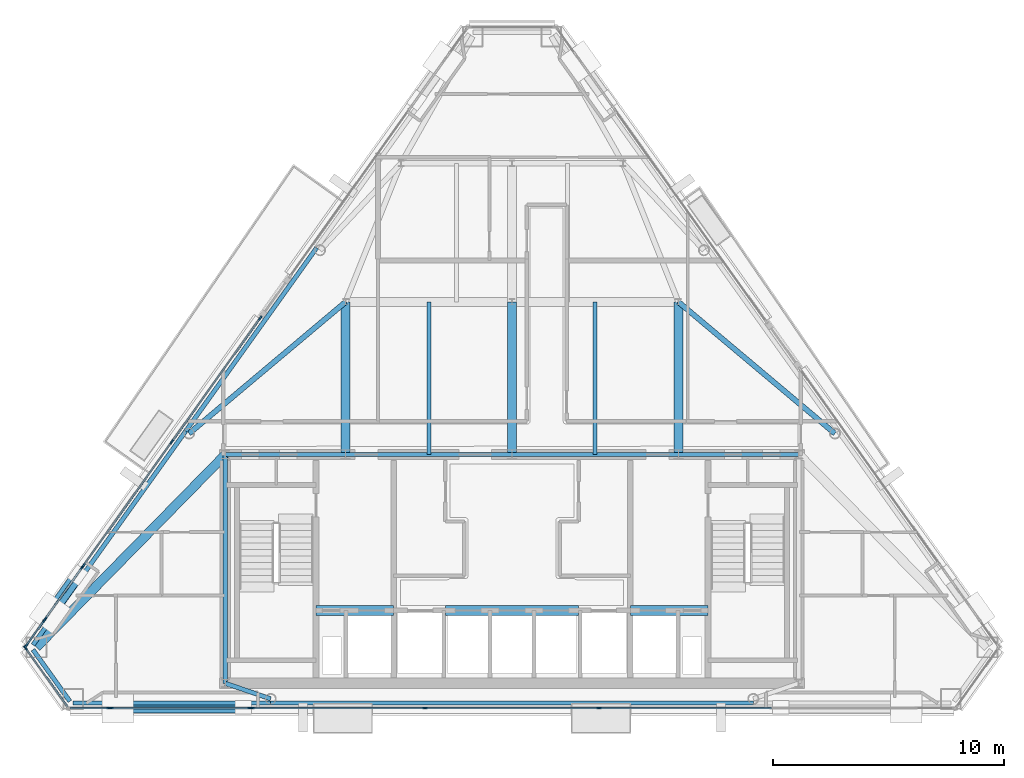
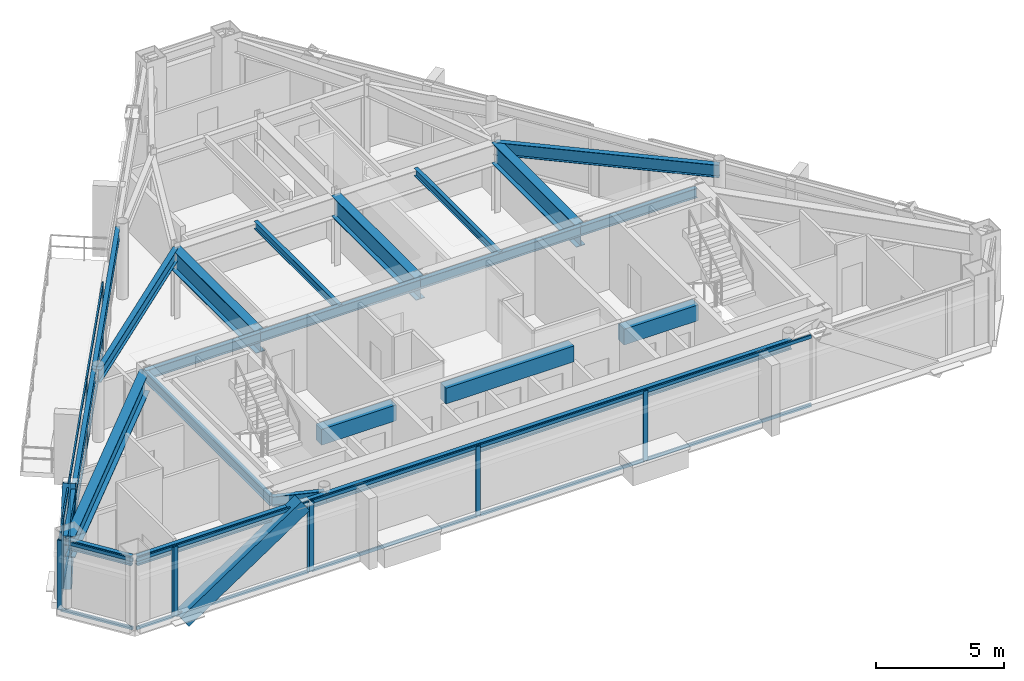
# One storey, part 4 of 12: 36 members, 22 beams, 7 elements without a shape of their own.
"""IFC4 building model written with IfcOpenShell, lengths in metres."""

from ifc_helpers import new_model, si_unit, direction, frame, origin, origin_2d, place, context, subcontext, project, spatial, rectangle, hollow_rectangle, i_section, extrude, material, layer, layer_set, material_profile, profile_set, type_object, element, aggregate, save


model = new_model("IFC4")

# Units and contexts
model_context = context("Model", 3, precision=1e-05, world=origin(), true_north=direction((0.0, 1.0)))
body_context = subcontext(model_context, "Body", "Model", "MODEL_VIEW")
ifc_project = project(units=[si_unit("LENGTHUNIT", "METRE"), si_unit("AREAUNIT", "SQUARE_METRE"), si_unit("VOLUMEUNIT", "CUBIC_METRE"), si_unit("PLANEANGLEUNIT", "RADIAN"), si_unit("MASSUNIT", "GRAM", prefix="KILO")], contexts=[model_context])

# Site, building, storey
site_placement = place(None, origin())
site = spatial("IfcSite", under=ifc_project, at=site_placement, CompositionType="ELEMENT")
building_placement = place(site_placement, origin())
building = spatial("IfcBuilding", under=site, at=building_placement, Name="Talgorran Terracotta Tower", CompositionType="ELEMENT")
storey_placement = place(building_placement, frame((0.0, 0.0, 281.39990234375)))
storey = spatial("IfcBuildingStorey", under=building, at=storey_placement, Name="L74", CompositionType="ELEMENT", Elevation=281.39990234375)

# Beams
ifc_material_1 = material(Name="Steel Grade 350 (350L0)", Category="steel")
ifc_material_profile_1 = material_profile(ifc_material_1, i_section(OverallWidth=0.39990234375, OverallDepth=1.0, WebThickness=0.01611328125, FlangeThickness=0.031005859375, at=origin_2d()), Name="1000WB296")
ifc_profile_set_1 = profile_set([ifc_material_profile_1], Name="Steel Grade 350 (350L0)")
beam_type_1 = type_object("IfcBeamType", Name="BM_1000WB296", PredefinedType="BEAM", material=ifc_profile_set_1)
for number, where, z_axis, x_axis, name in (
    (1, (-7.199951171875, -4.199951171875, 2.820068359375), (0.0, 1.0, 0.0), (-1.0, 0.0, 0.0), "L74 Floor Girder G01"),
    (2, (0.0, -4.199951171875, 2.820068359375), (0.0, 1.0, 0.0), (-1.0, 0.0, 0.0), "L74 Floor Girder G02"),
    (3, (7.199951171875, -4.199951171875, 2.820068359375), (0.0, 1.0, 0.0), (-1.0, 0.0, 0.0), "L74 Floor Girder G03"),
):
    element("IfcBeam", number, at=place(storey_placement, frame(where, z_axis=z_axis, x_axis=x_axis)), inside=storey, type_object=beam_type_1, Name=name, PredefinedType="BEAM", context=body_context, shape_type="SweptSolid", body=[
        extrude(i_section(OverallWidth=0.39990234375, OverallDepth=1.0, WebThickness=0.01611328125, FlangeThickness=0.031005859375, at=origin_2d()), origin(), (0.0, 0.0, 1.0), 6.599853515625),
    ])
beam_1_placement = place(storey_placement, frame((-12.39990234375, -4.199951171875, 2.820068359375), z_axis=(-0.700061173466, -0.714082875726, 0.0), x_axis=(0.714082875726, -0.700061173466, 0.0)))
element("IfcBeam", 4, at=beam_1_placement, inside=storey, type_object=beam_type_1, Name="L74 Floor Girder G17", PredefinedType="BEAM", context=body_context, shape_type="SweptSolid", body=[
    extrude(i_section(OverallWidth=0.39990234375, OverallDepth=1.0, WebThickness=0.01611328125, FlangeThickness=0.031005859375, at=origin_2d()), origin(), (0.0, 0.0, 1.0), 11.68310546875),
])
ifc_material_2 = material(Name="Steel S355 (300PLUS)", Category="steel")
ifc_material_profile_2 = material_profile(ifc_material_2, i_section(OverallWidth=0.22802734375, OverallDepth=0.60205078125, WebThickness=0.010498046875, FlangeThickness=0.014892578125, at=origin_2d()), Name="610UB101")
ifc_profile_set_2 = profile_set([ifc_material_profile_2], Name="Steel S355 (300PLUS)")
beam_type_2 = type_object("IfcBeamType", Name="BM_610UB101", PredefinedType="BEAM", material=ifc_profile_set_2)
for number, where, z_axis, x_axis, name in (
    (5, (-7.199951171875, 2.39990234375, 3.01904296875), (-0.765472083777, -0.643469104897, 0.0), (0.643469104897, -0.765472083777, 0.0), "L74 Floor Girder G06"),
    (6, (7.199951171875, 2.39990234375, 3.01904296875), (0.765472083777, -0.643469104897, 0.0), (0.643469104897, 0.765472083777, 0.0), "L74 Floor Girder G07"),
):
    element("IfcBeam", number, at=place(storey_placement, frame(where, z_axis=z_axis, x_axis=x_axis)), inside=storey, type_object=beam_type_2, Name=name, PredefinedType="BEAM", context=body_context, shape_type="SweptSolid", body=[
        extrude(i_section(OverallWidth=0.22802734375, OverallDepth=0.60205078125, WebThickness=0.010498046875, FlangeThickness=0.014892578125, at=origin_2d()), origin(), (0.0, 0.0, 1.0), 8.844970703125),
    ])
ifc_material_3 = material(Name="Concrete C50/60", Category="concrete")
ifc_material_profile_3 = material_profile(ifc_material_3, rectangle(XDim=0.449951171875, YDim=0.75, at=origin_2d()), Name="RCCB450X750")
ifc_profile_set_3 = profile_set([ifc_material_profile_3], Name="Concrete C50/60")
beam_type_3 = type_object("IfcBeamType", Name="BM_CB_450X750", PredefinedType="LINTEL", material=ifc_profile_set_3)
beam_2_placement = place(storey_placement, frame((-8.47998046875, -10.949951171875, 2.945068359375), z_axis=(1.0, 0.0, 0.0), x_axis=(0.0, 1.0, 0.0)))
element("IfcBeam", 7, at=beam_2_placement, inside=storey, type_object=beam_type_3, Name="L74 Core Shear-Wall Coupling Beam CB1", PredefinedType="LINTEL", context=body_context, shape_type="SweptSolid", body=[
    extrude(rectangle(XDim=0.449951171875, YDim=0.75, at=origin_2d()), origin(), (0.0, 0.0, 1.0), 3.35986328125),
])
beam_3_placement = place(storey_placement, frame((-2.8798828125, -10.949951171875, 2.945068359375), z_axis=(1.0, 0.0, 0.0), x_axis=(0.0, 1.0, 0.0)))
element("IfcBeam", 8, at=beam_3_placement, inside=storey, type_object=beam_type_3, Name="L74 Core Shear-Wall Coupling Beam CB2", PredefinedType="LINTEL", context=body_context, shape_type="SweptSolid", body=[
    extrude(rectangle(XDim=0.449951171875, YDim=0.75, at=origin_2d()), origin(), (0.0, 0.0, 1.0), 5.759765625),
])
beam_4_placement = place(storey_placement, frame((5.1201171875, -10.949951171875, 2.945068359375), z_axis=(1.0, 0.0, 0.0), x_axis=(0.0, 1.0, 0.0)))
element("IfcBeam", 9, at=beam_4_placement, inside=storey, type_object=beam_type_3, Name="L74 Core Shear-Wall Coupling Beam CB3", PredefinedType="LINTEL", context=body_context, shape_type="SweptSolid", body=[
    extrude(rectangle(XDim=0.449951171875, YDim=0.75, at=origin_2d()), origin(), (0.0, 0.0, 1.0), 3.35986328125),
])
ifc_material_profile_4 = material_profile(ifc_material_2, i_section(OverallWidth=0.17138671875, OverallDepth=0.355712890625, WebThickness=0.00732421875, FlangeThickness=0.011474609375, at=origin_2d()), Name="360UB50.7")
ifc_profile_set_4 = profile_set([ifc_material_profile_4], Name="Steel S355 (300PLUS)")
beam_type_4 = type_object("IfcBeamType", Name="BM_JS_360UB51", PredefinedType="JOIST", material=ifc_profile_set_4)
for number, where, z_axis, x_axis, name in (
    (10, (-3.60009765625, -4.199951171875, 3.142333984375), (0.0, 1.0, 0.0), (-1.0, 0.0, 0.0), "L74 Secondary Joist J01"),
    (11, (3.60009765625, -4.199951171875, 3.142333984375), (0.0, 1.0, 0.0), (-1.0, 0.0, 0.0), "L74 Secondary Joist J02"),
):
    element("IfcBeam", number, at=place(storey_placement, frame(where, z_axis=z_axis, x_axis=x_axis)), inside=storey, type_object=beam_type_4, Name=name, PredefinedType="JOIST", context=body_context, shape_type="SweptSolid", body=[
        extrude(i_section(OverallWidth=0.17138671875, OverallDepth=0.355712890625, WebThickness=0.00732421875, FlangeThickness=0.011474609375, at=origin_2d()), origin(), (0.0, 0.0, 1.0), 6.599853515625),
    ])
ifc_material_profile_5 = material_profile(ifc_material_2, i_section(OverallWidth=0.18994140625, OverallDepth=0.45703125, WebThickness=0.009033203125, FlangeThickness=0.014404296875, at=origin_2d()), Name="460UB74.6")
ifc_profile_set_5 = profile_set([ifc_material_profile_5], Name="Steel S355 (300PLUS)")
beam_type_5 = type_object("IfcBeamType", Name="BM_SP_460UB74", PredefinedType="SPANDREL", material=ifc_profile_set_5)
beam_5_placement = place(storey_placement, frame((-20.725341796875, -12.6474609375, 3.091552734375), z_axis=(0.581322401873, -0.813673315945, 0.0), x_axis=(0.813673315945, 0.581322401873, 0.0)))
element("IfcBeam", 12, at=beam_5_placement, inside=storey, type_object=beam_type_5, Name="L74 Perimeter Spandrel Beam MC1-MC2", PredefinedType="SPANDREL", context=body_context, shape_type="SweptSolid", body=[
    extrude(i_section(OverallWidth=0.18994140625, OverallDepth=0.45703125, WebThickness=0.009033203125, FlangeThickness=0.014404296875, at=origin_2d()), origin(), (0.0, 0.0, 1.0), 2.742431640625),
])
beam_6_placement = place(storey_placement, frame((-18.984619140625, -14.954345703125, 3.091552734375), z_axis=(1.0, 0.0, 0.0), x_axis=(0.0, 1.0, 0.0)))
element("IfcBeam", 13, at=beam_6_placement, inside=storey, type_object=beam_type_5, Name="L74 Perimeter Spandrel Beam MC2-FC1", PredefinedType="SPANDREL", context=body_context, shape_type="SweptSolid", body=[
    extrude(i_section(OverallWidth=0.18994140625, OverallDepth=0.45703125, WebThickness=0.009033203125, FlangeThickness=0.014404296875, at=origin_2d()), origin(), (0.0, 0.0, 1.0), 8.54296875),
])
beam_7_placement = place(storey_placement, frame((-10.441650390625, -14.954345703125, 3.091552734375), z_axis=(1.0, 0.0, 0.0), x_axis=(0.0, 1.0, 0.0)))
element("IfcBeam", 14, at=beam_7_placement, inside=storey, type_object=beam_type_5, Name="L74 Perimeter Spandrel Beam FC1-FC2", PredefinedType="SPANDREL", context=body_context, shape_type="SweptSolid", body=[
    extrude(i_section(OverallWidth=0.18994140625, OverallDepth=0.45703125, WebThickness=0.009033203125, FlangeThickness=0.014404296875, at=origin_2d()), origin(), (0.0, 0.0, 1.0), 20.88330078125),
])
beam_8_placement = place(storey_placement, frame((-8.45263671875, 4.742919921875, 3.091552734375), z_axis=(-0.58124293337, -0.813730085721, 0.0), x_axis=(0.813730085721, -0.58124293337, 0.0)))
element("IfcBeam", 15, at=beam_8_placement, inside=storey, type_object=beam_type_5, Name="L74 Perimeter Spandrel Beam FC5-FC6", PredefinedType="SPANDREL", context=body_context, shape_type="SweptSolid", body=[
    extrude(i_section(OverallWidth=0.18994140625, OverallDepth=0.45703125, WebThickness=0.009033203125, FlangeThickness=0.014404296875, at=origin_2d()), origin(), (0.0, 0.0, 1.0), 9.7451171875),
])
beam_9_placement = place(storey_placement, frame((-14.116943359375, -3.18701171875, 3.091552734375), z_axis=(-0.581260538156, -0.813717510431, 0.0), x_axis=(0.813717510431, -0.581260538156, 0.0)))
element("IfcBeam", 16, at=beam_9_placement, inside=storey, type_object=beam_type_5, Name="L74 Perimeter Spandrel Beam FC6-MC1", PredefinedType="SPANDREL", context=body_context, shape_type="SweptSolid", body=[
    extrude(i_section(OverallWidth=0.18994140625, OverallDepth=0.45703125, WebThickness=0.009033203125, FlangeThickness=0.014404296875, at=origin_2d()), origin(), (0.0, 0.0, 1.0), 11.369140625),
])
beam_10_placement = place(storey_placement, frame((-10.441650390625, -14.7744140625, 3.091552734375), z_axis=(-0.945513197236, 0.325583773939, 0.0), x_axis=(-0.325583773939, -0.945513197236, 0.0)))
element("IfcBeam", 17, at=beam_10_placement, inside=storey, type_object=beam_type_5, Name="L74 South-West Core Tie Beam", PredefinedType="SPANDREL", context=body_context, shape_type="SweptSolid", body=[
    extrude(i_section(OverallWidth=0.18994140625, OverallDepth=0.45703125, WebThickness=0.009033203125, FlangeThickness=0.014404296875, at=origin_2d()), origin(), (0.0, 0.0, 1.0), 2.071044921875),
])
beam_11_placement = place(storey_placement, frame((-12.39990234375, -14.10009765625, 3.091552734375), z_axis=(0.0, 1.0, 0.0), x_axis=(-1.0, 0.0, 0.0)))
element("IfcBeam", 18, at=beam_11_placement, inside=storey, type_object=beam_type_5, Name="L74 Core Frame Beam CFW", PredefinedType="SPANDREL", context=body_context, shape_type="SweptSolid", body=[
    extrude(i_section(OverallWidth=0.18994140625, OverallDepth=0.45703125, WebThickness=0.009033203125, FlangeThickness=0.014404296875, at=origin_2d()), origin(), (0.0, 0.0, 1.0), 9.900146484375),
])
beam_12_placement = place(storey_placement, frame((-12.39990234375, -4.199951171875, 3.091552734375), z_axis=(1.0, 0.0, 0.0), x_axis=(0.0, 1.0, 0.0)))
element("IfcBeam", 19, at=beam_12_placement, inside=storey, type_object=beam_type_5, Name="L74 Core Frame Beam CFN1", PredefinedType="SPANDREL", context=body_context, shape_type="SweptSolid", body=[
    extrude(i_section(OverallWidth=0.18994140625, OverallDepth=0.45703125, WebThickness=0.009033203125, FlangeThickness=0.014404296875, at=origin_2d()), origin(), (0.0, 0.0, 1.0), 5.199951171875),
])
for number, where, z_axis, x_axis, name in (
    (20, (-7.199951171875, -4.199951171875, 3.091552734375), (1.0, 0.0, 0.0), (0.0, 1.0, 0.0), "L74 Core Frame Beam CFN2"),
    (21, (0.0, -4.199951171875, 3.091552734375), (1.0, 0.0, 0.0), (0.0, 1.0, 0.0), "L74 Core Frame Beam CFN3"),
):
    element("IfcBeam", number, at=place(storey_placement, frame(where, z_axis=z_axis, x_axis=x_axis)), inside=storey, type_object=beam_type_5, Name=name, PredefinedType="SPANDREL", context=body_context, shape_type="SweptSolid", body=[
        extrude(i_section(OverallWidth=0.18994140625, OverallDepth=0.45703125, WebThickness=0.009033203125, FlangeThickness=0.014404296875, at=origin_2d()), origin(), (0.0, 0.0, 1.0), 7.199951171875),
    ])
beam_13_placement = place(storey_placement, frame((7.199951171875, -4.199951171875, 3.091552734375), z_axis=(1.0, 0.0, 0.0), x_axis=(0.0, 1.0, 0.0)))
element("IfcBeam", 22, at=beam_13_placement, inside=storey, type_object=beam_type_5, Name="L74 Core Frame Beam CFN4", PredefinedType="SPANDREL", context=body_context, shape_type="SweptSolid", body=[
    extrude(i_section(OverallWidth=0.18994140625, OverallDepth=0.45703125, WebThickness=0.009033203125, FlangeThickness=0.014404296875, at=origin_2d()), origin(), (0.0, 0.0, 1.0), 5.199951171875),
])

# Members
ifc_material_profile_6 = material_profile(ifc_material_1, hollow_rectangle(XDim=0.52001953125, YDim=0.659912109375, WallThickness=0.034912109375, at=origin_2d()), Name="WBOX660X520X35")
ifc_profile_set_6 = profile_set([ifc_material_profile_6], Name="Steel Grade 350 (350L0)")
member_type_1 = type_object("IfcMemberType", Name="MB_MEGA_660", PredefinedType="BRACE", material=ifc_profile_set_6)
member_1_placement = place(storey_placement, frame((-17.061279296875, -15.134521484375, -0.27490234375), z_axis=(0.832107833165, 0.0, 0.554613878284), x_axis=(0.0, 1.0, 0.0)))
element("IfcMember", 23, at=member_1_placement, inside=storey, type_object=member_type_1, Name="L74 Exterior Face Mega-Brace MB-3 (SWF)", PredefinedType="BRACE", context=body_context, shape_type="SweptSolid", body=[
    extrude(hollow_rectangle(XDim=0.52001953125, YDim=0.659912109375, WallThickness=0.034912109375, at=origin_2d()), origin(), (0.0, 0.0, 1.0), 6.52734375),
])
member_2_placement = place(storey_placement, frame((-19.968505859375, -11.069091796875, -0.27490234375), z_axis=(0.284338464388, 0.398038557823, 0.872190887453), x_axis=(-0.81370909617, 0.581272317258, 0.0)))
element("IfcMember", 24, at=member_2_placement, inside=storey, type_object=member_type_1, Name="L74 Exterior Face Mega-Brace MB-3 (NWL)", PredefinedType="BRACE", context=body_context, shape_type="SweptSolid", body=[
    extrude(hollow_rectangle(XDim=0.52001953125, YDim=0.659912109375, WallThickness=0.034912109375, at=origin_2d()), origin(), (0.0, 0.0, 1.0), 4.150634765625),
])

# Curtain wall, member
ifc_material_4 = material(Name="High-Wind Unitised Glazing", Category="glass")
ifc_layer = layer(ifc_material_4, 0.2099609375, Name="CW_SYS3_RES_HIGH")
ifc_layer_set = layer_set([ifc_layer], Name="High-Wind Unitised Glazing")
curtain_wall_type = type_object("IfcCurtainWallType", Name="CW_SYS3_RES_HIGH", PredefinedType="NOTDEFINED", material=ifc_layer_set)
curtain_wall_1_placement = place(storey_placement, origin())
curtain_wall_1 = element("IfcCurtainWall", 25, at=curtain_wall_1_placement, inside=storey, type_object=curtain_wall_type, Name="CW-L74-F0", PredefinedType="NOTDEFINED")
ifc_material_5 = material(Name="Architectural Aluminium 6063-T6", Category="aluminium")
ifc_material_profile_7 = material_profile(ifc_material_5, rectangle(XDim=0.070068359375, YDim=0.199951171875, at=origin_2d()), Name="CWM70X200")
ifc_profile_set_7 = profile_set([ifc_material_profile_7], Name="Architectural Aluminium 6063-T6")
member_type_2 = type_object("IfcMemberType", Name="MUL_70X200", PredefinedType="MULLION", material=ifc_profile_set_7)
member_3_placement = place(storey_placement, frame((-21.050048828125, -12.5712890625, 0.0), z_axis=(0.0, 0.0, 1.0), x_axis=(0.813720935413, 0.58125574343, 0.0)))
member_3 = element("IfcMember", 26, at=member_3_placement, type_object=member_type_2, Name="CW-L74-0 mullion 1", PredefinedType="MULLION", context=body_context, shape_type="SweptSolid", body=[
    extrude(rectangle(XDim=0.070068359375, YDim=0.199951171875, at=origin_2d()), origin(), (0.0, 0.0, 1.0), 3.320068359375),
])

curtain_wall_2_placement = place(storey_placement, origin())
curtain_wall_2 = element("IfcCurtainWall", 27, at=curtain_wall_2_placement, inside=storey, type_object=curtain_wall_type, Name="CW-L74-F1", PredefinedType="NOTDEFINED")
member_4_placement = place(storey_placement, frame((-17.43359375, -15.17431640625, 0.0), z_axis=(0.0, 0.0, 1.0), x_axis=(0.0, 1.0, 0.0)))
member_4 = element("IfcMember", 28, at=member_4_placement, type_object=member_type_2, Name="CW-L74-1 mullion 2", PredefinedType="MULLION", context=body_context, shape_type="SweptSolid", body=[
    extrude(rectangle(XDim=0.070068359375, YDim=0.199951171875, at=origin_2d()), origin(), (0.0, 0.0, 1.0), 3.320068359375),
])

# Curtain wall, members
curtain_wall_3_placement = place(storey_placement, origin())
curtain_wall_3 = element("IfcCurtainWall", 29, at=curtain_wall_3_placement, inside=storey, type_object=curtain_wall_type, Name="CW-L74-F1B", PredefinedType="NOTDEFINED")
member_5_placement = place(storey_placement, frame((-17.353759765625, -15.17431640625, 0.0), z_axis=(0.0, 0.0, 1.0), x_axis=(0.0, 1.0, 0.0)))
member_5 = element("IfcMember", 30, at=member_5_placement, type_object=member_type_2, Name="CW-L74-1B mullion 1", PredefinedType="MULLION", context=body_context, shape_type="SweptSolid", body=[
    extrude(rectangle(XDim=0.070068359375, YDim=0.199951171875, at=origin_2d()), origin(), (0.0, 0.0, 1.0), 3.320068359375),
])
member_6_placement = place(storey_placement, frame((-11.3369140625, -15.17431640625, 0.0), z_axis=(0.0, 0.0, 1.0), x_axis=(0.0, 1.0, 0.0)))
member_6 = element("IfcMember", 31, at=member_6_placement, type_object=member_type_2, Name="CW-L74-1B mullion 2", PredefinedType="MULLION", context=body_context, shape_type="SweptSolid", body=[
    extrude(rectangle(XDim=0.070068359375, YDim=0.199951171875, at=origin_2d()), origin(), (0.0, 0.0, 1.0), 3.320068359375),
])

curtain_wall_4_placement = place(storey_placement, origin())
curtain_wall_4 = element("IfcCurtainWall", 32, at=curtain_wall_4_placement, inside=storey, type_object=curtain_wall_type, Name="CW-L74-F1C", PredefinedType="NOTDEFINED")
member_7_placement = place(storey_placement, frame((-11.2568359375, -15.17431640625, 0.0), z_axis=(0.0, 0.0, 1.0), x_axis=(0.0, 1.0, 0.0)))
member_7 = element("IfcMember", 33, at=member_7_placement, type_object=member_type_2, Name="CW-L74-1C mullion 1", PredefinedType="MULLION", context=body_context, shape_type="SweptSolid", body=[
    extrude(rectangle(XDim=0.070068359375, YDim=0.199951171875, at=origin_2d()), origin(), (0.0, 0.0, 1.0), 3.320068359375),
])
member_8_placement = place(storey_placement, frame((-3.763916015625, -15.17431640625, 0.0), z_axis=(0.0, 0.0, 1.0), x_axis=(0.0, 1.0, 0.0)))
member_8 = element("IfcMember", 34, at=member_8_placement, type_object=member_type_2, Name="CW-L74-1C mullion 2", PredefinedType="MULLION", context=body_context, shape_type="SweptSolid", body=[
    extrude(rectangle(XDim=0.070068359375, YDim=0.199951171875, at=origin_2d()), origin(), (0.0, 0.0, 1.0), 3.320068359375),
])
member_9_placement = place(storey_placement, frame((3.763916015625, -15.17431640625, 0.0), z_axis=(0.0, 0.0, 1.0), x_axis=(0.0, 1.0, 0.0)))
member_9 = element("IfcMember", 35, at=member_9_placement, type_object=member_type_2, Name="CW-L74-1C mullion 3", PredefinedType="MULLION", context=body_context, shape_type="SweptSolid", body=[
    extrude(rectangle(XDim=0.070068359375, YDim=0.199951171875, at=origin_2d()), origin(), (0.0, 0.0, 1.0), 3.320068359375),
])

curtain_wall_5_placement = place(storey_placement, origin())
curtain_wall_5 = element("IfcCurtainWall", 36, at=curtain_wall_5_placement, inside=storey, type_object=curtain_wall_type, Name="CW-L74-F61", PredefinedType="NOTDEFINED")
member_10_placement = place(storey_placement, frame((-10.8935546875, 1.704345703125, 0.0), z_axis=(0.0, 0.0, 1.0), x_axis=(0.813726832285, -0.581247488097, 0.0)))
member_10 = element("IfcMember", 37, at=member_10_placement, type_object=member_type_2, Name="CW-L74-61 mullion 1", PredefinedType="MULLION", context=body_context, shape_type="SweptSolid", body=[
    extrude(rectangle(XDim=0.070068359375, YDim=0.199951171875, at=origin_2d()), origin(), (0.0, 0.0, 1.0), 3.320068359375),
])
member_11_placement = place(storey_placement, frame((-14.71826171875, -3.650390625, 0.0), z_axis=(0.0, 0.0, 1.0), x_axis=(0.813726832285, -0.581247488097, 0.0)))
member_11 = element("IfcMember", 38, at=member_11_placement, type_object=member_type_2, Name="CW-L74-61 mullion 2", PredefinedType="MULLION", context=body_context, shape_type="SweptSolid", body=[
    extrude(rectangle(XDim=0.070068359375, YDim=0.199951171875, at=origin_2d()), origin(), (0.0, 0.0, 1.0), 3.320068359375),
])
member_12_placement = place(storey_placement, frame((-18.543212890625, -9.005126953125, 0.0), z_axis=(0.0, 0.0, 1.0), x_axis=(0.813726832285, -0.581247488097, 0.0)))
member_12 = element("IfcMember", 39, at=member_12_placement, type_object=member_type_2, Name="CW-L74-61 mullion 3", PredefinedType="MULLION", context=body_context, shape_type="SweptSolid", body=[
    extrude(rectangle(XDim=0.070068359375, YDim=0.199951171875, at=origin_2d()), origin(), (0.0, 0.0, 1.0), 3.320068359375),
])

curtain_wall_6_placement = place(storey_placement, origin())
curtain_wall_6 = element("IfcCurtainWall", 40, at=curtain_wall_6_placement, inside=storey, type_object=curtain_wall_type, Name="CW-L74-F61B", PredefinedType="NOTDEFINED")
member_13_placement = place(storey_placement, frame((-18.589599609375, -9.070068359375, 0.0), z_axis=(0.0, 0.0, 1.0), x_axis=(0.813731085665, -0.581241533463, 0.0)))
member_13 = element("IfcMember", 41, at=member_13_placement, type_object=member_type_2, Name="CW-L74-61B mullion 1", PredefinedType="MULLION", context=body_context, shape_type="SweptSolid", body=[
    extrude(rectangle(XDim=0.070068359375, YDim=0.199951171875, at=origin_2d()), origin(), (0.0, 0.0, 1.0), 3.320068359375),
])
member_14_placement = place(storey_placement, frame((-20.1953125, -11.31787109375, 0.0), z_axis=(0.0, 0.0, 1.0), x_axis=(0.813731085665, -0.581241533463, 0.0)))
member_14 = element("IfcMember", 42, at=member_14_placement, type_object=member_type_2, Name="CW-L74-61B mullion 2", PredefinedType="MULLION", context=body_context, shape_type="SweptSolid", body=[
    extrude(rectangle(XDim=0.070068359375, YDim=0.199951171875, at=origin_2d()), origin(), (0.0, 0.0, 1.0), 3.320068359375),
])

curtain_wall_7_placement = place(storey_placement, origin())
curtain_wall_7 = element("IfcCurtainWall", 43, at=curtain_wall_7_placement, inside=storey, type_object=curtain_wall_type, Name="CW-L74-F61C", PredefinedType="NOTDEFINED")
member_15_placement = place(storey_placement, frame((-20.24169921875, -11.383056640625, 0.0), z_axis=(0.0, 0.0, 1.0), x_axis=(0.81372395711, -0.581251513224, 0.0)))
member_15 = element("IfcMember", 44, at=member_15_placement, type_object=member_type_2, Name="CW-L74-61C mullion 1", PredefinedType="MULLION", context=body_context, shape_type="SweptSolid", body=[
    extrude(rectangle(XDim=0.070068359375, YDim=0.199951171875, at=origin_2d()), origin(), (0.0, 0.0, 1.0), 3.320068359375),
])
member_16_placement = place(storey_placement, frame((-21.026611328125, -12.48193359375, 0.0), z_axis=(0.0, 0.0, 1.0), x_axis=(0.81372395711, -0.581251513224, 0.0)))
member_16 = element("IfcMember", 45, at=member_16_placement, type_object=member_type_2, Name="CW-L74-61C mullion 2", PredefinedType="MULLION", context=body_context, shape_type="SweptSolid", body=[
    extrude(rectangle(XDim=0.070068359375, YDim=0.199951171875, at=origin_2d()), origin(), (0.0, 0.0, 1.0), 3.320068359375),
])

# Member
ifc_material_profile_8 = material_profile(ifc_material_5, rectangle(XDim=0.070068359375, YDim=0.159912109375, at=origin_2d()), Name="CWT70X160")
ifc_profile_set_8 = profile_set([ifc_material_profile_8], Name="Architectural Aluminium 6063-T6")
member_type_3 = type_object("IfcMemberType", Name="TRN_70X160", PredefinedType="USERDEFINED", material=ifc_profile_set_8)
member_17_placement = place(storey_placement, frame((-21.029541015625, -12.599853515625, 0.03515625), z_axis=(0.581253122593, -0.813722807518, 0.0), x_axis=(0.813722807518, 0.581253122593, 0.0)))
member_17 = element("IfcMember", 46, at=member_17_placement, type_object=member_type_3, Name="CW-L74-0 transom 1.1", ObjectType="TRANSOM", PredefinedType="USERDEFINED", context=body_context, shape_type="SweptSolid", body=[
    extrude(rectangle(XDim=0.070068359375, YDim=0.159912109375, at=origin_2d()), origin(), (0.0, 0.0, 1.0), 3.093994140625),
])

member_18_placement = place(storey_placement, frame((-21.029541015625, -12.599853515625, 3.28515625), z_axis=(0.581253122593, -0.813722807518, 0.0), x_axis=(0.813722807518, 0.581253122593, 0.0)))
member_18 = element("IfcMember", 47, at=member_18_placement, type_object=member_type_3, Name="CW-L74-0 transom 1.2", ObjectType="TRANSOM", PredefinedType="USERDEFINED", context=body_context, shape_type="SweptSolid", body=[
    extrude(rectangle(XDim=0.070068359375, YDim=0.159912109375, at=origin_2d()), origin(), (0.0, 0.0, 1.0), 3.093994140625),
])

aggregate(curtain_wall_1, [member_3, member_17, member_18])

member_19_placement = place(storey_placement, frame((-19.12060546875, -15.17431640625, 0.03515625), z_axis=(1.0, 0.0, 0.0), x_axis=(0.0, 1.0, 0.0)))
member_19 = element("IfcMember", 48, at=member_19_placement, type_object=member_type_3, Name="CW-L74-1 transom 1.1", ObjectType="TRANSOM", PredefinedType="USERDEFINED", context=body_context, shape_type="SweptSolid", body=[
    extrude(rectangle(XDim=0.070068359375, YDim=0.159912109375, at=origin_2d()), origin(), (0.0, 0.0, 1.0), 1.65185546875),
])

member_20_placement = place(storey_placement, frame((-19.12060546875, -15.17431640625, 3.28515625), z_axis=(1.0, 0.0, 0.0), x_axis=(0.0, 1.0, 0.0)))
member_20 = element("IfcMember", 49, at=member_20_placement, type_object=member_type_3, Name="CW-L74-1 transom 1.2", ObjectType="TRANSOM", PredefinedType="USERDEFINED", context=body_context, shape_type="SweptSolid", body=[
    extrude(rectangle(XDim=0.070068359375, YDim=0.159912109375, at=origin_2d()), origin(), (0.0, 0.0, 1.0), 1.65185546875),
])

aggregate(curtain_wall_2, [member_4, member_19, member_20])

member_21_placement = place(storey_placement, frame((-17.318603515625, -15.17431640625, 0.03515625), z_axis=(1.0, 0.0, 0.0), x_axis=(0.0, 1.0, 0.0)))
member_21 = element("IfcMember", 50, at=member_21_placement, type_object=member_type_3, Name="CW-L74-1B transom 1.1", ObjectType="TRANSOM", PredefinedType="USERDEFINED", context=body_context, shape_type="SweptSolid", body=[
    extrude(rectangle(XDim=0.070068359375, YDim=0.159912109375, at=origin_2d()), origin(), (0.0, 0.0, 1.0), 5.94677734375),
])

member_22_placement = place(storey_placement, frame((-17.318603515625, -15.17431640625, 3.28515625), z_axis=(1.0, 0.0, 0.0), x_axis=(0.0, 1.0, 0.0)))
member_22 = element("IfcMember", 51, at=member_22_placement, type_object=member_type_3, Name="CW-L74-1B transom 1.2", ObjectType="TRANSOM", PredefinedType="USERDEFINED", context=body_context, shape_type="SweptSolid", body=[
    extrude(rectangle(XDim=0.070068359375, YDim=0.159912109375, at=origin_2d()), origin(), (0.0, 0.0, 1.0), 5.94677734375),
])

aggregate(curtain_wall_3, [member_5, member_6, member_21, member_22])

member_23_placement = place(storey_placement, frame((-11.2216796875, -15.17431640625, 0.03515625), z_axis=(1.0, 0.0, 0.0), x_axis=(0.0, 1.0, 0.0)))
member_23 = element("IfcMember", 52, at=member_23_placement, type_object=member_type_3, Name="CW-L74-1C transom 1.1", ObjectType="TRANSOM", PredefinedType="USERDEFINED", context=body_context, shape_type="SweptSolid", body=[
    extrude(rectangle(XDim=0.070068359375, YDim=0.159912109375, at=origin_2d()), origin(), (0.0, 0.0, 1.0), 7.4228515625),
])

member_24_placement = place(storey_placement, frame((-11.2216796875, -15.17431640625, 3.28515625), z_axis=(1.0, 0.0, 0.0), x_axis=(0.0, 1.0, 0.0)))
member_24 = element("IfcMember", 53, at=member_24_placement, type_object=member_type_3, Name="CW-L74-1C transom 1.2", ObjectType="TRANSOM", PredefinedType="USERDEFINED", context=body_context, shape_type="SweptSolid", body=[
    extrude(rectangle(XDim=0.070068359375, YDim=0.159912109375, at=origin_2d()), origin(), (0.0, 0.0, 1.0), 7.4228515625),
])

member_25_placement = place(storey_placement, frame((-3.72900390625, -15.17431640625, 0.03515625), z_axis=(1.0, 0.0, 0.0), x_axis=(0.0, 1.0, 0.0)))
member_25 = element("IfcMember", 54, at=member_25_placement, type_object=member_type_3, Name="CW-L74-1C transom 2.1", ObjectType="TRANSOM", PredefinedType="USERDEFINED", context=body_context, shape_type="SweptSolid", body=[
    extrude(rectangle(XDim=0.070068359375, YDim=0.159912109375, at=origin_2d()), origin(), (0.0, 0.0, 1.0), 7.4580078125),
])

member_26_placement = place(storey_placement, frame((-3.72900390625, -15.17431640625, 3.28515625), z_axis=(1.0, 0.0, 0.0), x_axis=(0.0, 1.0, 0.0)))
member_26 = element("IfcMember", 55, at=member_26_placement, type_object=member_type_3, Name="CW-L74-1C transom 2.2", ObjectType="TRANSOM", PredefinedType="USERDEFINED", context=body_context, shape_type="SweptSolid", body=[
    extrude(rectangle(XDim=0.070068359375, YDim=0.159912109375, at=origin_2d()), origin(), (0.0, 0.0, 1.0), 7.4580078125),
])

member_27_placement = place(storey_placement, frame((3.798828125, -15.17431640625, 0.03515625), z_axis=(1.0, 0.0, 0.0), x_axis=(0.0, 1.0, 0.0)))
member_27 = element("IfcMember", 56, at=member_27_placement, type_object=member_type_3, Name="CW-L74-1C transom 3.1", ObjectType="TRANSOM", PredefinedType="USERDEFINED", context=body_context, shape_type="SweptSolid", body=[
    extrude(rectangle(XDim=0.070068359375, YDim=0.159912109375, at=origin_2d()), origin(), (0.0, 0.0, 1.0), 7.4228515625),
])

member_28_placement = place(storey_placement, frame((3.798828125, -15.17431640625, 3.28515625), z_axis=(1.0, 0.0, 0.0), x_axis=(0.0, 1.0, 0.0)))
member_28 = element("IfcMember", 57, at=member_28_placement, type_object=member_type_3, Name="CW-L74-1C transom 3.2", ObjectType="TRANSOM", PredefinedType="USERDEFINED", context=body_context, shape_type="SweptSolid", body=[
    extrude(rectangle(XDim=0.070068359375, YDim=0.159912109375, at=origin_2d()), origin(), (0.0, 0.0, 1.0), 7.4228515625),
])

aggregate(curtain_wall_4, [member_7, member_8, member_9, member_23, member_24, member_25, member_26, member_27, member_28])

member_29_placement = place(storey_placement, frame((-10.913818359375, 1.67578125, 0.03515625), z_axis=(-0.581255930248, -0.813720801965, 0.0), x_axis=(0.813720801965, -0.581255930248, 0.0)))
member_29 = element("IfcMember", 58, at=member_29_placement, type_object=member_type_3, Name="CW-L74-61 transom 1.1", ObjectType="TRANSOM", PredefinedType="USERDEFINED", context=body_context, shape_type="SweptSolid", body=[
    extrude(rectangle(XDim=0.070068359375, YDim=0.159912109375, at=origin_2d()), origin(), (0.0, 0.0, 1.0), 6.51025390625),
])

member_30_placement = place(storey_placement, frame((-10.913818359375, 1.67578125, 3.28515625), z_axis=(-0.581255930248, -0.813720801965, 0.0), x_axis=(0.813720801965, -0.581255930248, 0.0)))
member_30 = element("IfcMember", 59, at=member_30_placement, type_object=member_type_3, Name="CW-L74-61 transom 1.2", ObjectType="TRANSOM", PredefinedType="USERDEFINED", context=body_context, shape_type="SweptSolid", body=[
    extrude(rectangle(XDim=0.070068359375, YDim=0.159912109375, at=origin_2d()), origin(), (0.0, 0.0, 1.0), 6.51025390625),
])

member_31_placement = place(storey_placement, frame((-14.738525390625, -3.6787109375, 0.03515625), z_axis=(-0.581238193719, -0.813733471207, 0.0), x_axis=(0.813733471207, -0.581238193719, 0.0)))
member_31 = element("IfcMember", 60, at=member_31_placement, type_object=member_type_3, Name="CW-L74-61 transom 2.1", ObjectType="TRANSOM", PredefinedType="USERDEFINED", context=body_context, shape_type="SweptSolid", body=[
    extrude(rectangle(XDim=0.070068359375, YDim=0.159912109375, at=origin_2d()), origin(), (0.0, 0.0, 1.0), 6.510498046875),
])

member_32_placement = place(storey_placement, frame((-14.738525390625, -3.6787109375, 3.28515625), z_axis=(-0.581238193719, -0.813733471207, 0.0), x_axis=(0.813733471207, -0.581238193719, 0.0)))
member_32 = element("IfcMember", 61, at=member_32_placement, type_object=member_type_3, Name="CW-L74-61 transom 2.2", ObjectType="TRANSOM", PredefinedType="USERDEFINED", context=body_context, shape_type="SweptSolid", body=[
    extrude(rectangle(XDim=0.070068359375, YDim=0.159912109375, at=origin_2d()), origin(), (0.0, 0.0, 1.0), 6.510498046875),
])

aggregate(curtain_wall_5, [member_10, member_11, member_12, member_29, member_30, member_31, member_32])

member_33_placement = place(storey_placement, frame((-18.610107421875, -9.0986328125, 0.03515625), z_axis=(-0.581178146236, -0.81377635892, 0.0), x_axis=(0.81377635892, -0.581178146236, 0.0)))
member_33 = element("IfcMember", 62, at=member_33_placement, type_object=member_type_3, Name="CW-L74-61B transom 1.1", ObjectType="TRANSOM", PredefinedType="USERDEFINED", context=body_context, shape_type="SweptSolid", body=[
    extrude(rectangle(XDim=0.070068359375, YDim=0.159912109375, at=origin_2d()), origin(), (0.0, 0.0, 1.0), 2.6923828125),
])

member_34_placement = place(storey_placement, frame((-18.610107421875, -9.0986328125, 3.28515625), z_axis=(-0.581178146236, -0.81377635892, 0.0), x_axis=(0.81377635892, -0.581178146236, 0.0)))
member_34 = element("IfcMember", 63, at=member_34_placement, type_object=member_type_3, Name="CW-L74-61B transom 1.2", ObjectType="TRANSOM", PredefinedType="USERDEFINED", context=body_context, shape_type="SweptSolid", body=[
    extrude(rectangle(XDim=0.070068359375, YDim=0.159912109375, at=origin_2d()), origin(), (0.0, 0.0, 1.0), 2.6923828125),
])

aggregate(curtain_wall_6, [member_13, member_14, member_33, member_34])

member_35_placement = place(storey_placement, frame((-20.26220703125, -11.411376953125, 0.03515625), z_axis=(-0.581166045547, -0.813785000785, 0.0), x_axis=(0.813785000785, -0.581166045547, 0.0)))
member_35 = element("IfcMember", 64, at=member_35_placement, type_object=member_type_3, Name="CW-L74-61C transom 1.1", ObjectType="TRANSOM", PredefinedType="USERDEFINED", context=body_context, shape_type="SweptSolid", body=[
    extrude(rectangle(XDim=0.070068359375, YDim=0.159912109375, at=origin_2d()), origin(), (0.0, 0.0, 1.0), 1.280517578125),
])

member_36_placement = place(storey_placement, frame((-20.26220703125, -11.411376953125, 3.28515625), z_axis=(-0.581166045547, -0.813785000785, 0.0), x_axis=(0.813785000785, -0.581166045547, 0.0)))
member_36 = element("IfcMember", 65, at=member_36_placement, type_object=member_type_3, Name="CW-L74-61C transom 1.2", ObjectType="TRANSOM", PredefinedType="USERDEFINED", context=body_context, shape_type="SweptSolid", body=[
    extrude(rectangle(XDim=0.070068359375, YDim=0.159912109375, at=origin_2d()), origin(), (0.0, 0.0, 1.0), 1.280517578125),
])

aggregate(curtain_wall_7, [member_15, member_16, member_35, member_36])

save(model, "model.ifc")
